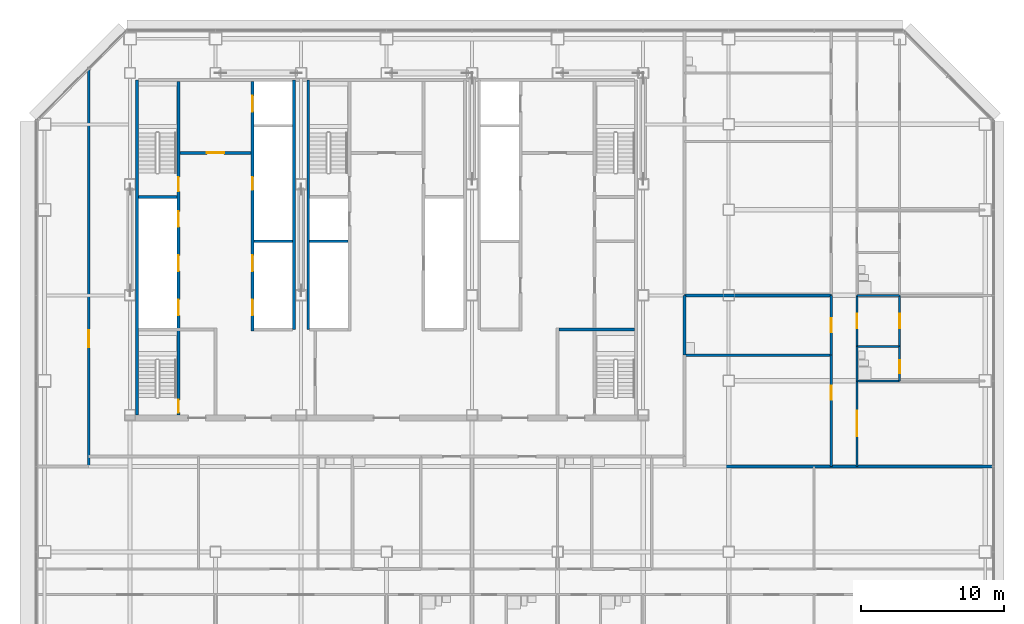
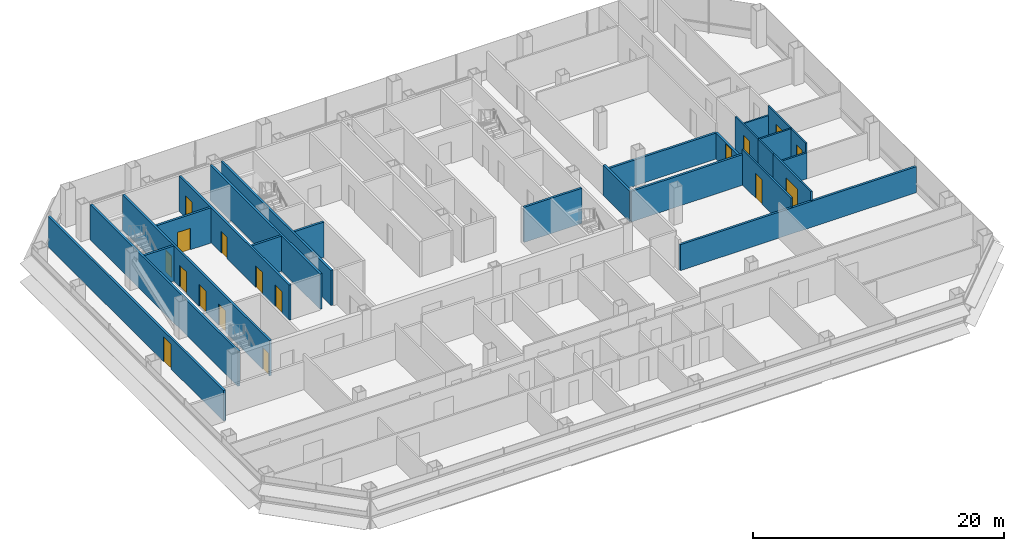
# One storey, part 22 of 26: 25 walls, 17 doors, 17 openings.
"""IFC4 building model written with IfcOpenShell, lengths in metres."""

import ifcopenshell
import ifcopenshell.guid

model = None  # the IFC model being written
_history = None  # IfcOwnerHistory: only IFC2X3 demands one
_inside = {}  # id of a spatial element -> (the spatial element, [elements in it])
_under = {}  # id of a project, library or spatial element -> (it, [spatial elements below it])
_declared = {}  # id of a project -> (the project, [libraries it declares])
_typed = {}  # id of a type object -> (the type object, [elements of that type])
_made_of = {}  # id of a material, layer set ... -> (it, [elements and type objects made of it])


def new_model(schema):
    """Start an empty IFC model of exactly this schema.

    Asked for "IFC4X3", IfcOpenShell would pick the latest addendum, in which some entities
    have other attributes; the version numbers below select the first issue.
    IFC2X3 requires an IfcOwnerHistory on every rooted entity: one is made here for all.
    """
    global model, _history
    if schema == "IFC4X3":
        model = ifcopenshell.file(schema_version=(4, 3, 0, 0))
    else:
        model = ifcopenshell.file(schema=schema)
    _inside.clear()
    _under.clear()
    _declared.clear()
    _typed.clear()
    _made_of.clear()
    _history = None
    if model.schema == "IFC2X3":
        org = make("IfcOrganization", Name="unknown")
        user = make(
            "IfcPersonAndOrganization",
            ThePerson=make("IfcPerson", FamilyName="unknown"),
            TheOrganization=org,
        )
        app = make(
            "IfcApplication",
            ApplicationDeveloper=org,
            Version="unknown",
            ApplicationFullName="unknown",
            ApplicationIdentifier="unknown",
        )
        _history = make(
            "IfcOwnerHistory",
            OwningUser=user,
            OwningApplication=app,
            ChangeAction="ADDED",
            CreationDate=0,
        )
    return model


def make(cls, **values):
    """One entity of the class cls with the attributes given. An attribute that is None is left unset."""
    return model.create_entity(
        cls, **{name: value for name, value in values.items() if value is not None}
    )


def rooted(cls, **values):
    """An entity with a GlobalId (a new one), such as an element, a storey or a relation."""
    return make(cls, GlobalId=ifcopenshell.guid.new(), OwnerHistory=_history, **values)


def si_unit(unit_type, name, prefix=None):
    """IfcSIUnit, for example si_unit("LENGTHUNIT", "METRE", prefix="MILLI")."""
    return make("IfcSIUnit", UnitType=unit_type, Prefix=prefix, Name=name)


def assignment(units):
    """IfcUnitAssignment: the units of a project."""
    return None if units is None else make("IfcUnitAssignment", Units=units)


def point(xyz):
    """IfcCartesianPoint."""
    return None if xyz is None else make("IfcCartesianPoint", Coordinates=xyz)


def direction(xyz):
    """IfcDirection."""
    return None if xyz is None else make("IfcDirection", DirectionRatios=xyz)


def frame(location, z_axis=None, x_axis=None):
    """IfcAxis2Placement3D, a coordinate frame: its origin and axes. An axis left out is left unset."""
    return make(
        "IfcAxis2Placement3D",
        Location=point(location),
        Axis=direction(z_axis),
        RefDirection=direction(x_axis),
    )


def frame_2d(location, x_axis=None):
    """IfcAxis2Placement2D, a coordinate frame in the plane: its origin and x axis."""
    return make(
        "IfcAxis2Placement2D", Location=point(location), RefDirection=direction(x_axis)
    )


def origin():
    """The frame at (0, 0, 0) with its axes left unset."""
    return frame((0.0, 0.0, 0.0))


def place(relative_to, where):
    """IfcLocalPlacement: puts the frame where relative to a parent placement (None: the world)."""
    return make(
        "IfcLocalPlacement", PlacementRelTo=relative_to, RelativePlacement=where
    )


def context(
    kind, dimensions, precision=None, world=None, true_north=None, identifier=None
):
    """IfcGeometricRepresentationContext, for example the 3D "Model" context."""
    return make(
        "IfcGeometricRepresentationContext",
        ContextIdentifier=identifier,
        ContextType=kind,
        CoordinateSpaceDimension=dimensions,
        Precision=precision,
        WorldCoordinateSystem=world,
        TrueNorth=true_north,
    )


def subcontext(parent, identifier, kind, view, scale=None):
    """IfcGeometricRepresentationSubContext, for example "Body" below "Model"."""
    return make(
        "IfcGeometricRepresentationSubContext",
        ContextIdentifier=identifier,
        ContextType=kind,
        ParentContext=parent,
        TargetScale=scale,
        TargetView=view,
    )


def project(units=None, contexts=None):
    """IfcProject with its units and contexts."""
    return rooted(
        "IfcProject",
        Name="project",
        RepresentationContexts=contexts,
        UnitsInContext=assignment(units),
    )


def spatial(cls, under=None, at=None, **own):
    """A site, building, storey or space (cls), placed at a placement, below another one or the project."""
    s = rooted(cls, ObjectPlacement=at, **own)
    if under is not None:
        _under.setdefault(under.id(), (under, []))[1].append(s)
    return s


def profile(cls, at=None, kind="AREA", **sizes):
    """A parametric profile (cls). Its sizes go by their IFC names, for example OverallWidth=200.0."""
    return make(cls, ProfileType=kind, Position=at, **sizes)


def rectangle(**sizes):
    """IfcRectangleProfileDef."""
    return profile("IfcRectangleProfileDef", **sizes)


def extrude(swept, where, along, depth):
    """IfcExtrudedAreaSolid: the profile swept, set in the frame where, extruded along a direction by depth."""
    return make(
        "IfcExtrudedAreaSolid",
        SweptArea=swept,
        Position=where,
        ExtrudedDirection=direction(along),
        Depth=depth,
    )


def shape(context_of_items, identifier, shape_type, items):
    """IfcShapeRepresentation: the items that make up one representation, for example the "Body"."""
    return make(
        "IfcShapeRepresentation",
        ContextOfItems=context_of_items,
        RepresentationIdentifier=identifier,
        RepresentationType=shape_type,
        Items=items,
    )


def material(Name=None, Category=None):
    """IfcMaterial."""
    return make("IfcMaterial", Name=Name, Category=Category)


def layer(
    of_material, thickness, ventilated=None, Name=None, Category=None, Priority=None
):
    """IfcMaterialLayer: one layer of a wall or slab, of a material (None: an air gap)."""
    return make(
        "IfcMaterialLayer",
        Material=of_material,
        LayerThickness=thickness,
        IsVentilated=ventilated,
        Name=Name,
        Category=Category,
        Priority=Priority,
    )


def layer_set(layers, Name=None):
    """IfcMaterialLayerSet."""
    return make("IfcMaterialLayerSet", MaterialLayers=layers, LayerSetName=Name)


def made_of(thing, what):
    """Note that an element or type object is made of a material, layer set ...; save() writes the relation."""
    if what is not None:
        _made_of.setdefault(what.id(), (what, []))[1].append(thing)
    return thing


def type_object(cls, material=None, **own):
    """A type object (cls), such as IfcWallType, which elements share."""
    return made_of(rooted(cls, **own), material)


def element(
    cls,
    number,
    at=None,
    inside=None,
    cuts=None,
    type_object=None,
    material=None,
    context=None,
    identifier="Body",
    shape_type=None,
    held_by="IfcProductDefinitionShape",
    body=None,
    shapes=None,
    **own,
):
    """One element of the class cls, such as IfcWall. Its Tag is "e" and its number.

    at: its placement. inside: the storey or other place that contains it. cuts: it is an
    opening in that element (IfcRelVoidsElement). A single representation is given by context,
    identifier, shape_type and body (its items); several are given by shapes. held_by: the class
    of the entity that holds the representations. save() writes the other relations.
    """
    e = rooted(cls, Tag="e%d" % number, ObjectPlacement=at, **own)
    if body is not None:
        shapes = [shape(context, identifier, shape_type, body)]
    if shapes is not None:
        e.Representation = make(held_by, Representations=shapes)
    if inside is not None:
        _inside.setdefault(inside.id(), (inside, []))[1].append(e)
    if cuts is not None:
        rooted(
            "IfcRelVoidsElement", RelatingBuildingElement=cuts, RelatedOpeningElement=e
        )
    if type_object is not None:
        _typed.setdefault(type_object.id(), (type_object, []))[1].append(e)
    return made_of(e, material)


def fill(opening, filler):
    """IfcRelFillsElement: the door or window that sits in an opening."""
    return rooted(
        "IfcRelFillsElement",
        RelatingOpeningElement=opening,
        RelatedBuildingElement=filler,
    )


def aggregate(whole, parts):
    """IfcRelAggregates: a whole, such as a stair, and the parts it consists of."""
    return rooted("IfcRelAggregates", RelatingObject=whole, RelatedObjects=parts)


def save(model, path):
    """Write the relations noted so far, then the file.

    IfcRelAggregates (storeys below a building ...), IfcRelContainedInSpatialStructure (elements
    in a storey), IfcRelDefinesByType, IfcRelAssociatesMaterial and IfcRelDeclares: one each for
    every whole, place, type object, material and project.
    """
    for whole, parts in _under.values():
        aggregate(whole, parts)
    for where, things in _inside.values():
        rooted(
            "IfcRelContainedInSpatialStructure",
            RelatedElements=things,
            RelatingStructure=where,
        )
    for kind, things in _typed.values():
        rooted("IfcRelDefinesByType", RelatedObjects=things, RelatingType=kind)
    for what, things in _made_of.values():
        rooted("IfcRelAssociatesMaterial", RelatedObjects=things, RelatingMaterial=what)
    for by, libraries in _declared.values():
        rooted("IfcRelDeclares", RelatingContext=by, RelatedDefinitions=libraries)
    model.write(path)


model = new_model("IFC4")

# Units and contexts
model_context = context("Model", 3, precision=1e-05, world=origin(), true_north=direction((0.0, 1.0)))
body_context = subcontext(model_context, "Body", "Model", "MODEL_VIEW")
ifc_project = project(units=[si_unit("LENGTHUNIT", "METRE"), si_unit("AREAUNIT", "SQUARE_METRE"), si_unit("VOLUMEUNIT", "CUBIC_METRE"), si_unit("PLANEANGLEUNIT", "RADIAN"), si_unit("MASSUNIT", "GRAM", prefix="KILO")], contexts=[model_context])

# Site, building, storey
site_placement = place(None, origin())
site = spatial("IfcSite", under=ifc_project, at=site_placement, CompositionType="ELEMENT")
building_placement = place(site_placement, origin())
building = spatial("IfcBuilding", under=site, at=building_placement, Name="Sorahane Residences", CompositionType="ELEMENT")
storey_placement = place(building_placement, frame((0.0, 0.0, 71.39990234375)))
storey = spatial("IfcBuildingStorey", under=building, at=storey_placement, Name="L14", CompositionType="ELEMENT", Elevation=71.39990234375)

# Walls
ifc_material_1 = material(Name="Concrete C30", Category="concrete")
ifc_layer_1 = layer(ifc_material_1, 0.199951171875)
ifc_layer_set_1 = layer_set([ifc_layer_1], Name="Core face wall 200 EI 180")
wall_type_1 = type_object("IfcWallType", Name="Core face wall 200 EI 180", PredefinedType="SOLIDWALL", material=ifc_layer_set_1)
wall_1_placement = place(storey_placement, frame((6.5, 21.60009765625, 0.0), z_axis=(0.0, 0.0, 1.0), x_axis=(0.0, 1.0, 0.0)))
element("IfcWall", 1, at=wall_1_placement, inside=storey, type_object=wall_type_1, Name="L14 core face wall", PredefinedType="SOLIDWALL", context=body_context, shape_type="SweptSolid", body=[
    extrude(rectangle(XDim=23.5, YDim=0.199951171875, at=frame_2d((11.75, 0.0))), origin(), (0.0, 0.0, 1.0), 3.420166015625),
])
for number, where, z_axis, x_axis, name in (
    (2, (17.5, 27.60009765625, 0.0), (0.0, 0.0, 1.0), (0.0, 1.0, 0.0), "L14 core face wall"),
    (3, (18.5, 27.60009765625, 0.0), (0.0, 0.0, 1.0), (0.0, 1.0, 0.0), "L14 core face wall"),
):
    element("IfcWall", number, at=place(storey_placement, frame(where, z_axis=z_axis, x_axis=x_axis)), inside=storey, type_object=wall_type_1, Name=name, PredefinedType="SOLIDWALL", context=body_context, shape_type="SweptSolid", body=[
        extrude(rectangle(XDim=17.5, YDim=0.199951171875, at=frame_2d((8.75, 0.0))), origin(), (0.0, 0.0, 1.0), 3.420166015625),
    ])

# Wall, opening, door
ifc_material_2 = material(Name="Concrete blockwork C20 wall", Category="masonry")
ifc_layer_2 = layer(ifc_material_2, 0.199951171875)
ifc_layer_set_2 = layer_set([ifc_layer_2], Name="Corridor wall 200 EI 120")
wall_type_2 = type_object("IfcWallType", Name="Corridor wall 200 EI 120", PredefinedType="SOLIDWALL", material=ifc_layer_set_2)
wall_2_placement = place(storey_placement, frame((3.10009765625, 18.0, 0.0), z_axis=(0.0, 0.0, 1.0), x_axis=(0.0, 1.0, 0.0)))
wall_2 = element("IfcWall", 4, at=wall_2_placement, inside=storey, type_object=wall_type_2, Name="L14 corridor wall", PredefinedType="SOLIDWALL", context=body_context, shape_type="SweptSolid", body=[
    extrude(rectangle(XDim=27.948974609375, YDim=0.199951171875, at=frame_2d((13.974609375, 0.0))), origin(), (0.0, 0.0, 1.0), 2.97021484375),
])
opening_1_placement = place(wall_2_placement, frame((8.360107421875, 0.0, 0.0)))
opening_1 = element("IfcOpeningElement", 5, at=opening_1_placement, cuts=wall_2, Name="Opening L14-45", PredefinedType="OPENING", context=body_context, shape_type="SweptSolid", body=[
    extrude(rectangle(XDim=1.199951171875, YDim=2.39990234375, at=frame_2d((0.60009765625, 1.199951171875))), frame((0.0, 0.10986328125, 0.0), z_axis=(0.0, -1.0, 0.0), x_axis=(1.0, 0.0, 0.0)), (0.0, 0.0, 1.0), 0.219970703125),
])
ifc_material_3 = material(Name="Steel", Category="steel")
door_type_1 = type_object("IfcDoorType", Name="Lobby door 1200x2400 FD60", OperationType="NOTDEFINED", PredefinedType="DOOR", material=ifc_material_3)
door_1_placement = place(opening_1_placement, origin())
door_1 = element("IfcDoor", 6, at=door_1_placement, inside=storey, type_object=door_type_1, Name="Lobby door L14-45", OperationType="SINGLE_SWING_RIGHT", OverallHeight=2.39990234375, OverallWidth=1.199951171875, PredefinedType="DOOR", context=body_context, shape_type="SweptSolid", body=[
    extrude(rectangle(XDim=1.199951171875, YDim=2.39990234375, at=frame_2d((0.60009765625, 1.199951171875))), frame((0.0, 0.02490234375, 0.0), z_axis=(0.0, -1.0, 0.0), x_axis=(1.0, 0.0, 0.0)), (0.0, 0.0, 1.0), 0.050048828125),
])
fill(opening_1, door_1)

ifc_material_4 = material(Name="Concrete C30", Category="concrete")
ifc_layer_3 = layer(ifc_material_4, 0.199951171875)
ifc_layer_set_3 = layer_set([ifc_layer_3], Name="Front room wall 200 EI 120")
wall_type_3 = type_object("IfcWallType", Name="Front room wall 200 EI 120", PredefinedType="PARTITIONING", material=ifc_layer_set_3)
wall_3_placement = place(storey_placement, frame((9.5, 40.0, 0.0), z_axis=(0.0, 0.0, 1.0), x_axis=(1.0, 0.0, 0.0)))
wall_3 = element("IfcWall", 7, at=wall_3_placement, inside=storey, type_object=wall_type_3, Name="L14 front room wall", PredefinedType="PARTITIONING", context=body_context, shape_type="SweptSolid", body=[
    extrude(rectangle(XDim=5.0, YDim=0.199951171875, at=frame_2d((2.5, 0.0))), origin(), (0.0, 0.0, 1.0), 3.420166015625),
])
opening_2_placement = place(wall_3_placement, frame((1.89990234375, 0.0, 0.0)))
opening_2 = element("IfcOpeningElement", 8, at=opening_2_placement, cuts=wall_3, Name="Opening L14-C07", PredefinedType="OPENING", context=body_context, shape_type="SweptSolid", body=[
    extrude(rectangle(XDim=1.199951171875, YDim=2.10009765625, at=frame_2d((0.60009765625, 1.050048828125))), frame((0.0, 0.10986328125, 0.0), z_axis=(0.0, -1.0, 0.0), x_axis=(1.0, 0.0, 0.0)), (0.0, 0.0, 1.0), 0.219970703125),
])
ifc_material_5 = material(Name="Steel", Category="steel")
door_type_2 = type_object("IfcDoorType", Name="Front room door 1200x2100 FD120", OperationType="NOTDEFINED", PredefinedType="DOOR", material=ifc_material_5)
door_2_placement = place(opening_2_placement, frame((1.199951171875, 0.0, 0.0), z_axis=(0.0, 0.0, 1.0), x_axis=(-1.0, 0.0, 0.0)))
door_2 = element("IfcDoor", 9, at=door_2_placement, inside=storey, type_object=door_type_2, Name="Front room door Firefighting lobby FF1 front room L14", OperationType="DOUBLE_DOOR_SINGLE_SWING", OverallHeight=2.10009765625, OverallWidth=1.199951171875, PredefinedType="DOOR", context=body_context, shape_type="SweptSolid", body=[
    extrude(rectangle(XDim=1.199951171875, YDim=2.10009765625, at=frame_2d((0.60009765625, 1.050048828125))), frame((0.0, 0.02490234375, 0.0), z_axis=(0.0, -1.0, 0.0), x_axis=(1.0, 0.0, 0.0)), (0.0, 0.0, 1.0), 0.050048828125),
])
fill(opening_2, door_2)

# Wall
ifc_material_6 = material(Name="Concrete blockwork C20 wall", Category="masonry")
ifc_layer_4 = layer(ifc_material_6, 0.199951171875)
ifc_layer_set_4 = layer_set([ifc_layer_4], Name="Kitchen wall 200 EI 180")
wall_type_4 = type_object("IfcWallType", Name="Kitchen wall 200 EI 180", PredefinedType="SOLIDWALL", material=ifc_layer_set_4)
wall_4_placement = place(storey_placement, frame((44.89990234375, 25.800048828125, 0.0), z_axis=(0.0, 0.0, 1.0), x_axis=(0.0, 1.0, 0.0)))
element("IfcWall", 10, at=wall_4_placement, inside=storey, type_object=wall_type_4, Name="L14 kitchen wall", PredefinedType="SOLIDWALL", context=body_context, shape_type="SweptSolid", body=[
    extrude(rectangle(XDim=4.199951171875, YDim=0.199951171875, at=frame_2d((2.10009765625, 0.0))), origin(), (0.0, 0.0, 1.0), 2.97021484375),
])

# Wall, opening, door
wall_5_placement = place(storey_placement, frame((55.199951171875, 25.800048828125, 0.0), z_axis=(0.0, 0.0, 1.0), x_axis=(0.0, 1.0, 0.0)))
wall_5 = element("IfcWall", 11, at=wall_5_placement, inside=storey, type_object=wall_type_4, Name="L14 kitchen wall", PredefinedType="SOLIDWALL", context=body_context, shape_type="SweptSolid", body=[
    extrude(rectangle(XDim=4.199951171875, YDim=0.199951171875, at=frame_2d((2.10009765625, 0.0))), origin(), (0.0, 0.0, 1.0), 2.52001953125),
])
opening_3_placement = place(wall_5_placement, frame((1.60009765625, 0.0, 0.0)))
opening_3 = element("IfcOpeningElement", 12, at=opening_3_placement, cuts=wall_5, Name="Opening L14-30", PredefinedType="OPENING", context=body_context, shape_type="SweptSolid", body=[
    extrude(rectangle(XDim=1.0, YDim=2.39990234375, at=frame_2d((0.5, 1.199951171875))), frame((0.0, 0.10986328125, 0.0), z_axis=(0.0, -1.0, 0.0), x_axis=(1.0, 0.0, 0.0)), (0.0, 0.0, 1.0), 0.219970703125),
])
ifc_material_7 = material(Name="Steel", Category="steel")
door_type_3 = type_object("IfcDoorType", Name="Kitchen door 1000x2400 FD120", OperationType="NOTDEFINED", PredefinedType="DOOR", material=ifc_material_7)
door_3_placement = place(opening_3_placement, origin())
door_3 = element("IfcDoor", 13, at=door_3_placement, inside=storey, type_object=door_type_3, Name="Kitchen door L14-30", OperationType="SINGLE_SWING_LEFT", OverallHeight=2.39990234375, OverallWidth=1.0, PredefinedType="DOOR", context=body_context, shape_type="SweptSolid", body=[
    extrude(rectangle(XDim=1.0, YDim=2.39990234375, at=frame_2d((0.5, 1.199951171875))), frame((0.0, 0.02490234375, 0.0), z_axis=(0.0, -1.0, 0.0), x_axis=(1.0, 0.0, 0.0)), (0.0, 0.0, 1.0), 0.050048828125),
])
fill(opening_3, door_3)

# Walls
wall_6_placement = place(storey_placement, frame((44.89990234375, 25.800048828125, 0.0), z_axis=(0.0, 0.0, 1.0), x_axis=(1.0, 0.0, 0.0)))
element("IfcWall", 14, at=wall_6_placement, inside=storey, type_object=wall_type_4, Name="L14 kitchen wall", PredefinedType="SOLIDWALL", context=body_context, shape_type="SweptSolid", body=[
    extrude(rectangle(XDim=10.300048828125, YDim=0.199951171875, at=frame_2d((5.14990234375, 0.0))), origin(), (0.0, 0.0, 1.0), 2.97021484375),
])
wall_7_placement = place(storey_placement, frame((44.89990234375, 30.0, 0.0), z_axis=(0.0, 0.0, 1.0), x_axis=(1.0, 0.0, 0.0)))
element("IfcWall", 15, at=wall_7_placement, inside=storey, type_object=wall_type_4, Name="L14 kitchen wall", PredefinedType="SOLIDWALL", context=body_context, shape_type="SweptSolid", body=[
    extrude(rectangle(XDim=10.300048828125, YDim=0.199951171875, at=frame_2d((5.14990234375, 0.0))), origin(), (0.0, 0.0, 1.0), 2.52001953125),
])

# Wall, openings, doors
ifc_material_8 = material(Name="Concrete C30", Category="concrete")
ifc_layer_5 = layer(ifc_material_8, 0.199951171875)
ifc_layer_set_5 = layer_set([ifc_layer_5], Name="Lift shaft wall 200 EI 120")
wall_type_5 = type_object("IfcWallType", Name="Lift shaft wall 200 EI 120", PredefinedType="SOLIDWALL", material=ifc_layer_set_5)
wall_8_placement = place(storey_placement, frame((14.60009765625, 27.5, 0.0), z_axis=(0.0, 0.0, 1.0), x_axis=(0.0, 1.0, 0.0)))
wall_8 = element("IfcWall", 16, at=wall_8_placement, inside=storey, type_object=wall_type_5, Name="L14 lift shaft wall", PredefinedType="SOLIDWALL", context=body_context, shape_type="SweptSolid", body=[
    extrude(rectangle(XDim=17.5, YDim=0.199951171875, at=frame_2d((8.75, 0.0))), origin(), (0.0, 0.0, 1.0), 3.420166015625),
])
opening_4_placement = place(wall_8_placement, frame((1.10009765625, 0.0, 0.0)))
opening_4 = element("IfcOpeningElement", 17, at=opening_4_placement, cuts=wall_8, Name="Opening L14-C11", PredefinedType="OPENING", context=body_context, shape_type="SweptSolid", body=[
    extrude(rectangle(XDim=1.10009765625, YDim=2.10009765625, at=frame_2d((0.550048828125, 1.050048828125))), frame((0.0, 0.10986328125, 0.0), z_axis=(0.0, -1.0, 0.0), x_axis=(1.0, 0.0, 0.0)), (0.0, 0.0, 1.0), 0.219970703125),
])
opening_5_placement = place(wall_8_placement, frame((4.199951171875, 0.0, 0.0)))
opening_5 = element("IfcOpeningElement", 18, at=opening_5_placement, cuts=wall_8, Name="Opening L14-C12", PredefinedType="OPENING", context=body_context, shape_type="SweptSolid", body=[
    extrude(rectangle(XDim=1.10009765625, YDim=2.10009765625, at=frame_2d((0.550048828125, 1.050048828125))), frame((0.0, 0.10986328125, 0.0), z_axis=(0.0, -1.0, 0.0), x_axis=(1.0, 0.0, 0.0)), (0.0, 0.0, 1.0), 0.219970703125),
])
opening_6_placement = place(wall_8_placement, frame((15.39990234375, 0.0, 0.0)))
opening_6 = element("IfcOpeningElement", 19, at=opening_6_placement, cuts=wall_8, Name="Opening L14-C13", PredefinedType="OPENING", context=body_context, shape_type="SweptSolid", body=[
    extrude(rectangle(XDim=1.10009765625, YDim=2.10009765625, at=frame_2d((0.550048828125, 1.050048828125))), frame((0.0, 0.10986328125, 0.0), z_axis=(0.0, -1.0, 0.0), x_axis=(1.0, 0.0, 0.0)), (0.0, 0.0, 1.0), 0.219970703125),
])
opening_7_placement = place(wall_8_placement, frame((9.89990234375, 0.0, 0.0)))
opening_7 = element("IfcOpeningElement", 20, at=opening_7_placement, cuts=wall_8, Name="Opening L14-C25", PredefinedType="OPENING", context=body_context, shape_type="SweptSolid", body=[
    extrude(rectangle(XDim=0.89990234375, YDim=2.10009765625, at=frame_2d((0.449951171875, 1.050048828125))), frame((0.0, 0.10986328125, 0.0), z_axis=(0.0, -1.0, 0.0), x_axis=(1.0, 0.0, 0.0)), (0.0, 0.0, 1.0), 0.219970703125),
])
ifc_material_9 = material(Name="Aluminium and stainless steel", Category="steel")
door_type_4 = type_object("IfcDoorType", Name="Lift landing door 1100x2100 E 60", OperationType="NOTDEFINED", PredefinedType="DOOR", material=ifc_material_9)
door_4_placement = place(opening_4_placement, origin())
door_4 = element("IfcDoor", 21, at=door_4_placement, inside=storey, type_object=door_type_4, Name="Lift landing door LR4 L14", OperationType="DOUBLE_DOOR_SLIDING", OverallHeight=2.10009765625, OverallWidth=1.10009765625, PredefinedType="DOOR", context=body_context, shape_type="SweptSolid", body=[
    extrude(rectangle(XDim=1.10009765625, YDim=2.10009765625, at=frame_2d((0.550048828125, 1.050048828125))), frame((0.0, 0.02490234375, 0.0), z_axis=(0.0, -1.0, 0.0), x_axis=(1.0, 0.0, 0.0)), (0.0, 0.0, 1.0), 0.050048828125),
])
fill(opening_4, door_4)
door_5_placement = place(opening_5_placement, origin())
door_5 = element("IfcDoor", 22, at=door_5_placement, inside=storey, type_object=door_type_4, Name="Lift landing door LR5 L14", OperationType="DOUBLE_DOOR_SLIDING", OverallHeight=2.10009765625, OverallWidth=1.10009765625, PredefinedType="DOOR", context=body_context, shape_type="SweptSolid", body=[
    extrude(rectangle(XDim=1.10009765625, YDim=2.10009765625, at=frame_2d((0.550048828125, 1.050048828125))), frame((0.0, 0.02490234375, 0.0), z_axis=(0.0, -1.0, 0.0), x_axis=(1.0, 0.0, 0.0)), (0.0, 0.0, 1.0), 0.050048828125),
])
fill(opening_5, door_5)
door_6_placement = place(opening_6_placement, origin())
door_6 = element("IfcDoor", 23, at=door_6_placement, inside=storey, type_object=door_type_4, Name="Lift landing door FF1 L14", OperationType="DOUBLE_DOOR_SLIDING", OverallHeight=2.10009765625, OverallWidth=1.10009765625, PredefinedType="DOOR", context=body_context, shape_type="SweptSolid", body=[
    extrude(rectangle(XDim=1.10009765625, YDim=2.10009765625, at=frame_2d((0.550048828125, 1.050048828125))), frame((0.0, 0.02490234375, 0.0), z_axis=(0.0, -1.0, 0.0), x_axis=(1.0, 0.0, 0.0)), (0.0, 0.0, 1.0), 0.050048828125),
])
fill(opening_6, door_6)
ifc_material_10 = material(Name="Steel", Category="steel")
door_type_5 = type_object("IfcDoorType", Name="Riser door 900x2100 FD120", OperationType="NOTDEFINED", PredefinedType="DOOR", material=ifc_material_10)
door_7_placement = place(opening_7_placement, origin())
door_7 = element("IfcDoor", 24, at=door_7_placement, inside=storey, type_object=door_type_5, Name="Riser door R1 L14", OperationType="SINGLE_SWING_LEFT", OverallHeight=2.10009765625, OverallWidth=0.89990234375, PredefinedType="DOOR", context=body_context, shape_type="SweptSolid", body=[
    extrude(rectangle(XDim=0.89990234375, YDim=2.10009765625, at=frame_2d((0.449951171875, 1.050048828125))), frame((0.0, 0.02490234375, 0.0), z_axis=(0.0, -1.0, 0.0), x_axis=(1.0, 0.0, 0.0)), (0.0, 0.0, 1.0), 0.050048828125),
])
fill(opening_7, door_7)

# Walls
for number, where, z_axis, x_axis, name in (
    (25, (14.699951171875, 33.800048828125, 0.0), (0.0, 0.0, 1.0), (1.0, 0.0, 0.0), "L14 lift shaft wall"),
    (26, (18.60009765625, 33.800048828125, 0.0), (0.0, 0.0, 1.0), (1.0, 0.0, 0.0), "L14 lift shaft wall"),
):
    element("IfcWall", number, at=place(storey_placement, frame(where, z_axis=z_axis, x_axis=x_axis)), inside=storey, type_object=wall_type_5, Name=name, PredefinedType="SOLIDWALL", context=body_context, shape_type="SweptSolid", body=[
        extrude(rectangle(XDim=2.699951171875, YDim=0.199951171875, at=frame_2d((1.35009765625, 0.0))), origin(), (0.0, 0.0, 1.0), 3.420166015625),
    ])

# Wall, opening, door
ifc_material_11 = material(Name="Gypsum board partition on steel studs", Category="steel")
ifc_layer_6 = layer(ifc_material_11, 0.14990234375)
ifc_layer_set_6 = layer_set([ifc_layer_6], Name="Partition 150 EI 90")
wall_type_6 = type_object("IfcWallType", Name="Partition 150 EI 90", PredefinedType="PARTITIONING", material=ifc_layer_set_6)
wall_9_placement = place(storey_placement, frame((55.199951171875, 18.0, 0.0), z_axis=(0.0, 0.0, 1.0), x_axis=(0.0, 1.0, 0.0)))
wall_9 = element("IfcWall", 27, at=wall_9_placement, inside=storey, type_object=wall_type_6, Name="L14 partition", PredefinedType="PARTITIONING", context=body_context, shape_type="SweptSolid", body=[
    extrude(rectangle(XDim=7.800048828125, YDim=0.14990234375, at=frame_2d((3.89990234375, 0.0))), origin(), (0.0, 0.0, 1.0), 3.420166015625),
])
opening_8_placement = place(wall_9_placement, frame((4.659912109375, 0.0, 0.0)))
opening_8 = element("IfcOpeningElement", 28, at=opening_8_placement, cuts=wall_9, Name="Opening L14-29", PredefinedType="OPENING", context=body_context, shape_type="SweptSolid", body=[
    extrude(rectangle(XDim=1.0, YDim=2.39990234375, at=frame_2d((0.5, 1.199951171875))), frame((0.0, 0.0849609375, 0.0), z_axis=(0.0, -1.0, 0.0), x_axis=(1.0, 0.0, 0.0)), (0.0, 0.0, 1.0), 0.169921875),
])
ifc_material_12 = material(Name="Timber veneered fire door", Category="wood")
door_type_6 = type_object("IfcDoorType", Name="Room door 1000x2400 FD30", OperationType="NOTDEFINED", PredefinedType="DOOR", material=ifc_material_12)
door_8_placement = place(opening_8_placement, origin())
door_8 = element("IfcDoor", 29, at=door_8_placement, inside=storey, type_object=door_type_6, Name="Room door L14-29", OperationType="SINGLE_SWING_LEFT", OverallHeight=2.39990234375, OverallWidth=1.0, PredefinedType="DOOR", context=body_context, shape_type="SweptSolid", body=[
    extrude(rectangle(XDim=1.0, YDim=2.39990234375, at=frame_2d((0.5, 1.199951171875))), frame((0.0, 0.02490234375, 0.0), z_axis=(0.0, -1.0, 0.0), x_axis=(1.0, 0.0, 0.0)), (0.0, 0.0, 1.0), 0.050048828125),
])
fill(opening_8, door_8)

wall_10_placement = place(storey_placement, frame((57.0, 18.0, 0.0), z_axis=(0.0, 0.0, 1.0), x_axis=(0.0, 1.0, 0.0)))
wall_10 = element("IfcWall", 30, at=wall_10_placement, inside=storey, type_object=wall_type_6, Name="L14 partition", PredefinedType="PARTITIONING", context=body_context, shape_type="SweptSolid", body=[
    extrude(rectangle(XDim=6.0, YDim=0.14990234375, at=frame_2d((3.0, 0.0))), origin(), (0.0, 0.0, 1.0), 3.420166015625),
])
opening_9_placement = place(wall_10_placement, frame((2.10009765625, 0.0, 0.0)))
opening_9 = element("IfcOpeningElement", 31, at=opening_9_placement, cuts=wall_10, Name="Opening L14-33", PredefinedType="OPENING", context=body_context, shape_type="SweptSolid", body=[
    extrude(rectangle(XDim=1.800048828125, YDim=2.39990234375, at=frame_2d((0.89990234375, 1.199951171875))), frame((0.0, 0.0849609375, 0.0), z_axis=(0.0, -1.0, 0.0), x_axis=(1.0, 0.0, 0.0)), (0.0, 0.0, 1.0), 0.169921875),
])
ifc_material_13 = material(Name="Timber veneered fire door", Category="wood")
door_type_7 = type_object("IfcDoorType", Name="Double door 1800x2400 FD30", OperationType="NOTDEFINED", PredefinedType="DOOR", material=ifc_material_13)
door_9_placement = place(opening_9_placement, frame((1.800048828125, 0.0, 0.0), z_axis=(0.0, 0.0, 1.0), x_axis=(-1.0, 0.0, 0.0)))
door_9 = element("IfcDoor", 32, at=door_9_placement, inside=storey, type_object=door_type_7, Name="Double door L14-33", OperationType="SINGLE_SWING_LEFT", OverallHeight=2.39990234375, OverallWidth=1.800048828125, PredefinedType="DOOR", context=body_context, shape_type="SweptSolid", body=[
    extrude(rectangle(XDim=1.800048828125, YDim=2.39990234375, at=frame_2d((0.89990234375, 1.199951171875))), frame((0.0, 0.02490234375, 0.0), z_axis=(0.0, -1.0, 0.0), x_axis=(1.0, 0.0, 0.0)), (0.0, 0.0, 1.0), 0.050048828125),
])
fill(opening_9, door_9)

wall_11_placement = place(storey_placement, frame((57.0, 26.39990234375, 0.0), z_axis=(0.0, 0.0, 1.0), x_axis=(0.0, 1.0, 0.0)))
wall_11 = element("IfcWall", 33, at=wall_11_placement, inside=storey, type_object=wall_type_6, Name="L14 partition", PredefinedType="PARTITIONING", context=body_context, shape_type="SweptSolid", body=[
    extrude(rectangle(XDim=3.60009765625, YDim=0.14990234375, at=frame_2d((1.800048828125, 0.0))), origin(), (0.0, 0.0, 1.0), 3.420166015625),
])
opening_10_placement = place(wall_11_placement, frame((1.300048828125, 0.0, 0.0)))
opening_10 = element("IfcOpeningElement", 34, at=opening_10_placement, cuts=wall_11, Name="Opening L14-34", PredefinedType="OPENING", context=body_context, shape_type="SweptSolid", body=[
    extrude(rectangle(XDim=1.0, YDim=2.39990234375, at=frame_2d((0.5, 1.199951171875))), frame((0.0, 0.0849609375, 0.0), z_axis=(0.0, -1.0, 0.0), x_axis=(1.0, 0.0, 0.0)), (0.0, 0.0, 1.0), 0.169921875),
])
door_10_placement = place(opening_10_placement, frame((1.0, 0.0, 0.0), z_axis=(0.0, 0.0, 1.0), x_axis=(-1.0, 0.0, 0.0)))
door_10 = element("IfcDoor", 35, at=door_10_placement, inside=storey, type_object=door_type_6, Name="Room door L14-34", OperationType="SINGLE_SWING_LEFT", OverallHeight=2.39990234375, OverallWidth=1.0, PredefinedType="DOOR", context=body_context, shape_type="SweptSolid", body=[
    extrude(rectangle(XDim=1.0, YDim=2.39990234375, at=frame_2d((0.5, 1.199951171875))), frame((0.0, 0.02490234375, 0.0), z_axis=(0.0, -1.0, 0.0), x_axis=(1.0, 0.0, 0.0)), (0.0, 0.0, 1.0), 0.050048828125),
])
fill(opening_10, door_10)

wall_12_placement = place(storey_placement, frame((60.0, 26.39990234375, 0.0), z_axis=(0.0, 0.0, 1.0), x_axis=(0.0, 1.0, 0.0)))
wall_12 = element("IfcWall", 36, at=wall_12_placement, inside=storey, type_object=wall_type_6, Name="L14 partition", PredefinedType="PARTITIONING", context=body_context, shape_type="SweptSolid", body=[
    extrude(rectangle(XDim=3.60009765625, YDim=0.14990234375, at=frame_2d((1.800048828125, 0.0))), origin(), (0.0, 0.0, 1.0), 3.420166015625),
])
opening_11_placement = place(wall_12_placement, frame((1.300048828125, 0.0, 0.0)))
opening_11 = element("IfcOpeningElement", 37, at=opening_11_placement, cuts=wall_12, Name="Opening L14-37", PredefinedType="OPENING", context=body_context, shape_type="SweptSolid", body=[
    extrude(rectangle(XDim=1.0, YDim=2.39990234375, at=frame_2d((0.5, 1.199951171875))), frame((0.0, 0.0849609375, 0.0), z_axis=(0.0, -1.0, 0.0), x_axis=(1.0, 0.0, 0.0)), (0.0, 0.0, 1.0), 0.169921875),
])
door_11_placement = place(opening_11_placement, frame((1.0, 0.0, 0.0), z_axis=(0.0, 0.0, 1.0), x_axis=(-1.0, 0.0, 0.0)))
door_11 = element("IfcDoor", 38, at=door_11_placement, inside=storey, type_object=door_type_6, Name="Room door L14-37", OperationType="SINGLE_SWING_LEFT", OverallHeight=2.39990234375, OverallWidth=1.0, PredefinedType="DOOR", context=body_context, shape_type="SweptSolid", body=[
    extrude(rectangle(XDim=1.0, YDim=2.39990234375, at=frame_2d((0.5, 1.199951171875))), frame((0.0, 0.02490234375, 0.0), z_axis=(0.0, -1.0, 0.0), x_axis=(1.0, 0.0, 0.0)), (0.0, 0.0, 1.0), 0.050048828125),
])
fill(opening_11, door_11)

# Wall
ifc_material_14 = material(Name="Concrete blockwork C20 wall", Category="masonry")
ifc_layer_7 = layer(ifc_material_14, 0.199951171875)
ifc_layer_set_7 = layer_set([ifc_layer_7], Name="Party wall 200 EI 120")
wall_type_7 = type_object("IfcWallType", Name="Party wall 200 EI 120", PredefinedType="SOLIDWALL", material=ifc_layer_set_7)
wall_13_placement = place(storey_placement, frame((44.89990234375, 18.0, 0.0), z_axis=(0.0, 0.0, 1.0), x_axis=(1.0, 0.0, 0.0)))
element("IfcWall", 39, at=wall_13_placement, inside=storey, type_object=wall_type_7, Name="L14 party wall", PredefinedType="SOLIDWALL", context=body_context, shape_type="SweptSolid", body=[
    extrude(rectangle(XDim=21.7001953125, YDim=0.199951171875, at=frame_2d((10.85009765625, 0.0))), origin(), (0.0, 0.0, 1.0), 2.52001953125),
])

# Wall, openings, doors
ifc_material_15 = material(Name="Concrete C30", Category="concrete")
ifc_layer_8 = layer(ifc_material_15, 0.199951171875)
ifc_layer_set_8 = layer_set([ifc_layer_8], Name="Stair enclosure wall 200 EI 120")
wall_type_8 = type_object("IfcWallType", Name="Stair enclosure wall 200 EI 120", PredefinedType="SOLIDWALL", material=ifc_layer_set_8)
wall_14_placement = place(storey_placement, frame((9.39990234375, 21.60009765625, 0.0), z_axis=(0.0, 0.0, 1.0), x_axis=(0.0, 1.0, 0.0)))
wall_14 = element("IfcWall", 40, at=wall_14_placement, inside=storey, type_object=wall_type_8, Name="L14 stair enclosure wall", PredefinedType="SOLIDWALL", context=body_context, shape_type="SweptSolid", body=[
    extrude(rectangle(XDim=23.39990234375, YDim=0.199951171875, at=frame_2d((11.699951171875, 0.0))), origin(), (0.0, 0.0, 1.0), 3.420166015625),
])
opening_12_placement = place(wall_14_placement, frame((7.0, 0.0, 0.0)))
opening_12 = element("IfcOpeningElement", 41, at=opening_12_placement, cuts=wall_14, Name="Opening L14-C14", PredefinedType="OPENING", context=body_context, shape_type="SweptSolid", body=[
    extrude(rectangle(XDim=1.10009765625, YDim=2.10009765625, at=frame_2d((0.550048828125, 1.050048828125))), frame((0.0, 0.10986328125, 0.0), z_axis=(0.0, -1.0, 0.0), x_axis=(1.0, 0.0, 0.0)), (0.0, 0.0, 1.0), 0.219970703125),
])
opening_13_placement = place(wall_14_placement, frame((10.10009765625, 0.0, 0.0)))
opening_13 = element("IfcOpeningElement", 42, at=opening_13_placement, cuts=wall_14, Name="Opening L14-C15", PredefinedType="OPENING", context=body_context, shape_type="SweptSolid", body=[
    extrude(rectangle(XDim=1.10009765625, YDim=2.10009765625, at=frame_2d((0.550048828125, 1.050048828125))), frame((0.0, 0.10986328125, 0.0), z_axis=(0.0, -1.0, 0.0), x_axis=(1.0, 0.0, 0.0)), (0.0, 0.0, 1.0), 0.219970703125),
])
opening_14_placement = place(wall_14_placement, frame((13.199951171875, 0.0, 0.0)))
opening_14 = element("IfcOpeningElement", 43, at=opening_14_placement, cuts=wall_14, Name="Opening L14-C16", PredefinedType="OPENING", context=body_context, shape_type="SweptSolid", body=[
    extrude(rectangle(XDim=1.10009765625, YDim=2.10009765625, at=frame_2d((0.550048828125, 1.050048828125))), frame((0.0, 0.10986328125, 0.0), z_axis=(0.0, -1.0, 0.0), x_axis=(1.0, 0.0, 0.0)), (0.0, 0.0, 1.0), 0.219970703125),
])
opening_15_placement = place(wall_14_placement, frame((15.699951171875, 0.0, 0.0)))
opening_15 = element("IfcOpeningElement", 44, at=opening_15_placement, cuts=wall_14, Name="Opening L14-C20", PredefinedType="OPENING", context=body_context, shape_type="SweptSolid", body=[
    extrude(rectangle(XDim=1.0, YDim=2.10009765625, at=frame_2d((0.5, 1.050048828125))), frame((0.0, 0.10986328125, 0.0), z_axis=(0.0, -1.0, 0.0), x_axis=(1.0, 0.0, 0.0)), (0.0, 0.0, 1.0), 0.219970703125),
])
opening_16_placement = place(wall_14_placement, frame((0.175048828125, 0.0, 0.0)))
opening_16 = element("IfcOpeningElement", 45, at=opening_16_placement, cuts=wall_14, Name="Opening L14-C23", PredefinedType="OPENING", context=body_context, shape_type="SweptSolid", body=[
    extrude(rectangle(XDim=0.89990234375, YDim=2.10009765625, at=frame_2d((0.449951171875, 1.050048828125))), frame((0.0, 0.10986328125, 0.0), z_axis=(0.0, -1.0, 0.0), x_axis=(1.0, 0.0, 0.0)), (0.0, 0.0, 1.0), 0.219970703125),
])
door_12_placement = place(opening_12_placement, origin())
door_12 = element("IfcDoor", 46, at=door_12_placement, inside=storey, type_object=door_type_4, Name="Lift landing door LR1 L14", OperationType="DOUBLE_DOOR_SLIDING", OverallHeight=2.10009765625, OverallWidth=1.10009765625, PredefinedType="DOOR", context=body_context, shape_type="SweptSolid", body=[
    extrude(rectangle(XDim=1.10009765625, YDim=2.10009765625, at=frame_2d((0.550048828125, 1.050048828125))), frame((0.0, 0.02490234375, 0.0), z_axis=(0.0, -1.0, 0.0), x_axis=(1.0, 0.0, 0.0)), (0.0, 0.0, 1.0), 0.050048828125),
])
fill(opening_12, door_12)
door_13_placement = place(opening_13_placement, origin())
door_13 = element("IfcDoor", 47, at=door_13_placement, inside=storey, type_object=door_type_4, Name="Lift landing door LR2 L14", OperationType="DOUBLE_DOOR_SLIDING", OverallHeight=2.10009765625, OverallWidth=1.10009765625, PredefinedType="DOOR", context=body_context, shape_type="SweptSolid", body=[
    extrude(rectangle(XDim=1.10009765625, YDim=2.10009765625, at=frame_2d((0.550048828125, 1.050048828125))), frame((0.0, 0.02490234375, 0.0), z_axis=(0.0, -1.0, 0.0), x_axis=(1.0, 0.0, 0.0)), (0.0, 0.0, 1.0), 0.050048828125),
])
fill(opening_13, door_13)
door_14_placement = place(opening_14_placement, origin())
door_14 = element("IfcDoor", 48, at=door_14_placement, inside=storey, type_object=door_type_4, Name="Lift landing door LR3 L14", OperationType="DOUBLE_DOOR_SLIDING", OverallHeight=2.10009765625, OverallWidth=1.10009765625, PredefinedType="DOOR", context=body_context, shape_type="SweptSolid", body=[
    extrude(rectangle(XDim=1.10009765625, YDim=2.10009765625, at=frame_2d((0.550048828125, 1.050048828125))), frame((0.0, 0.02490234375, 0.0), z_axis=(0.0, -1.0, 0.0), x_axis=(1.0, 0.0, 0.0)), (0.0, 0.0, 1.0), 0.050048828125),
])
fill(opening_14, door_14)
ifc_material_16 = material(Name="Steel", Category="steel")
door_type_8 = type_object("IfcDoorType", Name="Stair door 1000x2100 FD120", OperationType="NOTDEFINED", PredefinedType="DOOR", material=ifc_material_16)
door_15_placement = place(opening_15_placement, origin())
door_15 = element("IfcDoor", 49, at=door_15_placement, inside=storey, type_object=door_type_8, Name="Stair door S1 L14", OperationType="SINGLE_SWING_LEFT", OverallHeight=2.10009765625, OverallWidth=1.0, PredefinedType="DOOR", context=body_context, shape_type="SweptSolid", body=[
    extrude(rectangle(XDim=1.0, YDim=2.10009765625, at=frame_2d((0.5, 1.050048828125))), frame((0.0, 0.02490234375, 0.0), z_axis=(0.0, -1.0, 0.0), x_axis=(1.0, 0.0, 0.0)), (0.0, 0.0, 1.0), 0.050048828125),
])
fill(opening_15, door_15)
ifc_material_17 = material(Name="Steel", Category="steel")
door_type_9 = type_object("IfcDoorType", Name="Stair door 900x2100 FD120", OperationType="NOTDEFINED", PredefinedType="DOOR", material=ifc_material_17)
door_16_placement = place(opening_16_placement, origin())
door_16 = element("IfcDoor", 50, at=door_16_placement, inside=storey, type_object=door_type_9, Name="Stair door S4 L14", OperationType="SINGLE_SWING_LEFT", OverallHeight=2.10009765625, OverallWidth=0.89990234375, PredefinedType="DOOR", context=body_context, shape_type="SweptSolid", body=[
    extrude(rectangle(XDim=0.89990234375, YDim=2.10009765625, at=frame_2d((0.449951171875, 1.050048828125))), frame((0.0, 0.02490234375, 0.0), z_axis=(0.0, -1.0, 0.0), x_axis=(1.0, 0.0, 0.0)), (0.0, 0.0, 1.0), 0.050048828125),
])
fill(opening_16, door_16)

# Walls
wall_15_placement = place(storey_placement, frame((36.10009765625, 27.60009765625, 0.0), z_axis=(0.0, 0.0, 1.0), x_axis=(1.0, 0.0, 0.0)))
element("IfcWall", 51, at=wall_15_placement, inside=storey, type_object=wall_type_8, Name="L14 stair enclosure wall", PredefinedType="SOLIDWALL", context=body_context, shape_type="SweptSolid", body=[
    extrude(rectangle(XDim=5.2998046875, YDim=0.199951171875, at=frame_2d((2.64990234375, 0.0))), origin(), (0.0, 0.0, 1.0), 3.420166015625),
])
wall_16_placement = place(storey_placement, frame((6.60009765625, 36.89990234375, 0.0), z_axis=(0.0, 0.0, 1.0), x_axis=(1.0, 0.0, 0.0)))
element("IfcWall", 52, at=wall_16_placement, inside=storey, type_object=wall_type_8, Name="L14 stair enclosure wall", PredefinedType="SOLIDWALL", context=body_context, shape_type="SweptSolid", body=[
    extrude(rectangle(XDim=2.699951171875, YDim=0.199951171875, at=frame_2d((1.35009765625, 0.0))), origin(), (0.0, 0.0, 1.0), 3.420166015625),
])
ifc_material_18 = material(Name="Gypsum board partition on steel studs", Category="steel")
ifc_layer_9 = layer(ifc_material_18, 0.14990234375)
ifc_layer_set_9 = layer_set([ifc_layer_9], Name="Wet wall 150 EI 90")
wall_type_9 = type_object("IfcWallType", Name="Wet wall 150 EI 90", PredefinedType="PARTITIONING", material=ifc_layer_set_9)
wall_17_placement = place(storey_placement, frame((57.0, 24.0, 0.0), z_axis=(0.0, 0.0, 1.0), x_axis=(0.0, 1.0, 0.0)))
element("IfcWall", 53, at=wall_17_placement, inside=storey, type_object=wall_type_9, Name="L14 wet wall", PredefinedType="PARTITIONING", context=body_context, shape_type="SweptSolid", body=[
    extrude(rectangle(XDim=2.39990234375, YDim=0.14990234375, at=frame_2d((1.199951171875, 0.0))), origin(), (0.0, 0.0, 1.0), 3.420166015625),
])

# Wall, opening, door
wall_18_placement = place(storey_placement, frame((60.0, 24.0, 0.0), z_axis=(0.0, 0.0, 1.0), x_axis=(0.0, 1.0, 0.0)))
wall_18 = element("IfcWall", 54, at=wall_18_placement, inside=storey, type_object=wall_type_9, Name="L14 wet wall", PredefinedType="PARTITIONING", context=body_context, shape_type="SweptSolid", body=[
    extrude(rectangle(XDim=2.39990234375, YDim=0.14990234375, at=frame_2d((1.199951171875, 0.0))), origin(), (0.0, 0.0, 1.0), 3.420166015625),
])
opening_17_placement = place(wall_18_placement, frame((0.550048828125, 0.0, 0.0)))
opening_17 = element("IfcOpeningElement", 55, at=opening_17_placement, cuts=wall_18, Name="Opening L14-38", PredefinedType="OPENING", context=body_context, shape_type="SweptSolid", body=[
    extrude(rectangle(XDim=0.89990234375, YDim=2.39990234375, at=frame_2d((0.449951171875, 1.199951171875))), frame((0.0, 0.0849609375, 0.0), z_axis=(0.0, -1.0, 0.0), x_axis=(1.0, 0.0, 0.0)), (0.0, 0.0, 1.0), 0.169921875),
])
ifc_material_19 = material(Name="Timber veneered fire door", Category="wood")
door_type_10 = type_object("IfcDoorType", Name="Bathroom door 900x2400 FD30", OperationType="NOTDEFINED", PredefinedType="DOOR", material=ifc_material_19)
door_17_placement = place(opening_17_placement, frame((0.89990234375, 0.0, 0.0), z_axis=(0.0, 0.0, 1.0), x_axis=(-1.0, 0.0, 0.0)))
door_17 = element("IfcDoor", 56, at=door_17_placement, inside=storey, type_object=door_type_10, Name="Bathroom door L14-38", OperationType="SINGLE_SWING_LEFT", OverallHeight=2.39990234375, OverallWidth=0.89990234375, PredefinedType="DOOR", context=body_context, shape_type="SweptSolid", body=[
    extrude(rectangle(XDim=0.89990234375, YDim=2.39990234375, at=frame_2d((0.449951171875, 1.199951171875))), frame((0.0, 0.02490234375, 0.0), z_axis=(0.0, -1.0, 0.0), x_axis=(1.0, 0.0, 0.0)), (0.0, 0.0, 1.0), 0.050048828125),
])
fill(opening_17, door_17)

# Walls
wall_19_placement = place(storey_placement, frame((57.0, 24.0, 0.0), z_axis=(0.0, 0.0, 1.0), x_axis=(1.0, 0.0, 0.0)))
element("IfcWall", 57, at=wall_19_placement, inside=storey, type_object=wall_type_9, Name="L14 wet wall", PredefinedType="PARTITIONING", context=body_context, shape_type="SweptSolid", body=[
    extrude(rectangle(XDim=3.0, YDim=0.14990234375, at=frame_2d((1.5, 0.0))), origin(), (0.0, 0.0, 1.0), 2.52001953125),
])
wall_20_placement = place(storey_placement, frame((57.0, 26.39990234375, 0.0), z_axis=(0.0, 0.0, 1.0), x_axis=(1.0, 0.0, 0.0)))
element("IfcWall", 58, at=wall_20_placement, inside=storey, type_object=wall_type_9, Name="L14 wet wall", PredefinedType="PARTITIONING", context=body_context, shape_type="SweptSolid", body=[
    extrude(rectangle(XDim=3.0, YDim=0.14990234375, at=frame_2d((1.5, 0.0))), origin(), (0.0, 0.0, 1.0), 3.420166015625),
])
wall_21_placement = place(storey_placement, frame((57.0, 30.0, 0.0), z_axis=(0.0, 0.0, 1.0), x_axis=(1.0, 0.0, 0.0)))
element("IfcWall", 59, at=wall_21_placement, inside=storey, type_object=wall_type_9, Name="L14 wet wall", PredefinedType="PARTITIONING", context=body_context, shape_type="SweptSolid", body=[
    extrude(rectangle(XDim=3.0, YDim=0.14990234375, at=frame_2d((1.5, 0.0))), origin(), (0.0, 0.0, 1.0), 2.52001953125),
])

save(model, "model.ifc")
